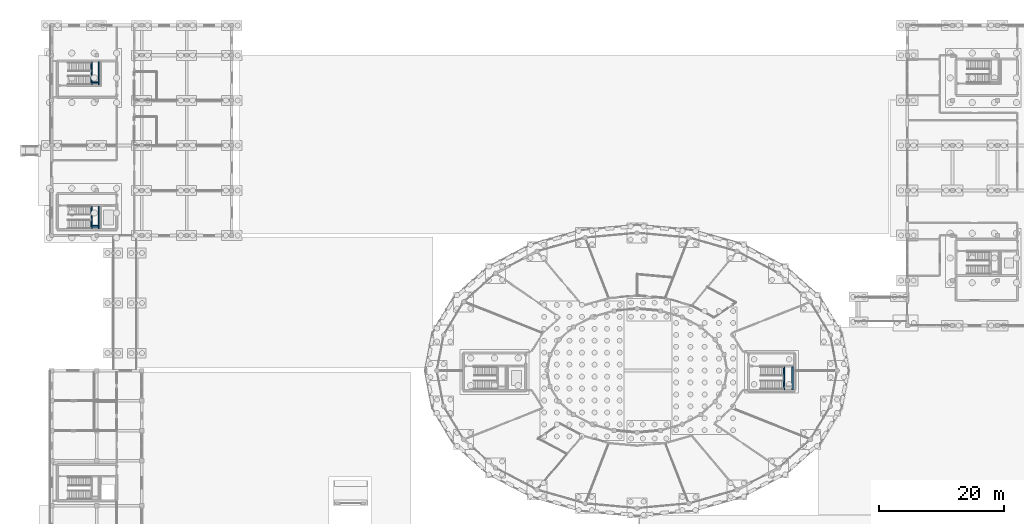
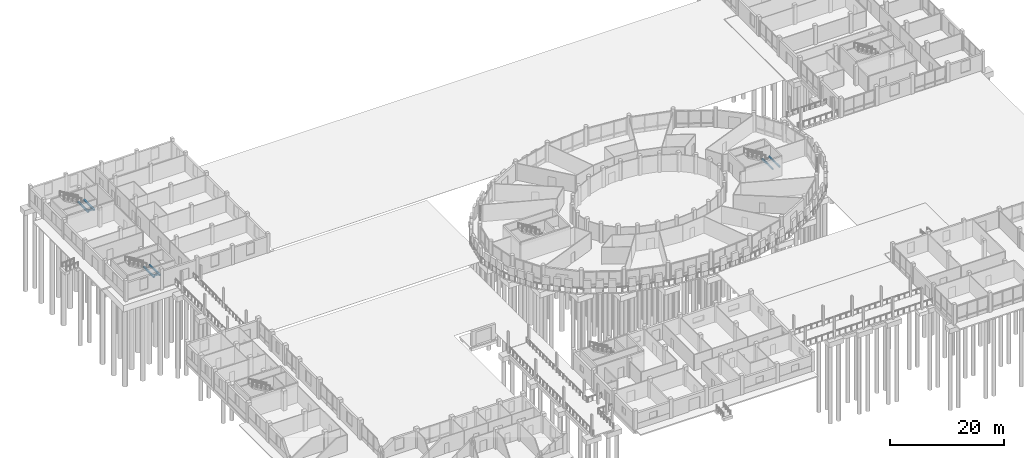
# One storey, part 38 of 98: 8 beams.
"""IFC4 building model written with IfcOpenShell, lengths in metres."""

from ifc_helpers import new_model, si_unit, direction, frame, origin, origin_2d, place, context, subcontext, project, spatial, rectangle, extrude, material, material_profile, profile_set, type_object, element, save


model = new_model("IFC4")

# Units and contexts
model_context = context("Model", 3, precision=1e-05, world=origin(), true_north=direction((0.0, 1.0)))
body_context = subcontext(model_context, "Body", "Model", "MODEL_VIEW")
ifc_project = project(units=[si_unit("LENGTHUNIT", "METRE"), si_unit("AREAUNIT", "SQUARE_METRE"), si_unit("VOLUMEUNIT", "CUBIC_METRE"), si_unit("PLANEANGLEUNIT", "RADIAN"), si_unit("MASSUNIT", "GRAM", prefix="KILO")], contexts=[model_context])

# Site, building, storey
site_placement = place(None, origin())
site = spatial("IfcSite", under=ifc_project, at=site_placement, CompositionType="ELEMENT")
building_placement = place(site_placement, origin())
building = spatial("IfcBuilding", under=site, at=building_placement, Name="Zornivar Specialist Clinic", CompositionType="ELEMENT")
storey_placement = place(building_placement, origin())
storey = spatial("IfcBuildingStorey", under=building, at=storey_placement, Name="L00", CompositionType="ELEMENT", Elevation=0.0)

# Beams
ifc_material = material(Name="Concrete C30/37", Category="concrete")
ifc_material_profile = material_profile(ifc_material, rectangle(XDim=0.260009765625, YDim=0.340087890625, at=origin_2d()), Name="RC 260x340")
ifc_profile_set = profile_set([ifc_material_profile], Name="Concrete C30/37")
beam_type = type_object("IfcBeamType", Name="BM-LAND-260x340", PredefinedType="BEAM", material=ifc_profile_set)
for number, where, z_axis, x_axis, name in (
    (1, (117.06005859375, 54.5400390625, 1.8701171875), (0.0, 1.0, 0.0), (-1.0, 0.0, 0.0), "bm:stair:C4:L00:lW"),
    (2, (118.4599609375, 54.5400390625, 1.8701171875), (0.0, 1.0, 0.0), (-1.0, 0.0, 0.0), "bm:stair:C4:L00:lE"),
    (3, (6.360107421875, 80.239990234375, 1.8701171875), (0.0, 1.0, 0.0), (-1.0, 0.0, 0.0), "bm:stair:C7:L00:lW"),
    (4, (7.56005859375, 80.239990234375, 1.8701171875), (0.0, 1.0, 0.0), (-1.0, 0.0, 0.0), "bm:stair:C7:L00:lE"),
):
    element("IfcBeam", number, at=place(storey_placement, frame(where, z_axis=z_axis, x_axis=x_axis)), inside=storey, type_object=beam_type, Name=name, PredefinedType="BEAM", context=body_context, shape_type="SweptSolid", body=[
        extrude(rectangle(XDim=0.260009765625, YDim=0.340087890625, at=origin_2d()), origin(), (0.0, 0.0, 1.0), 3.659912109375),
    ])
beam_1_placement = place(storey_placement, frame((6.4951171875, 80.679931640625, 1.8701171875), z_axis=(1.0, 0.0, 0.0), x_axis=(0.0, 1.0, 0.0)))
element("IfcBeam", 5, at=beam_1_placement, inside=storey, type_object=beam_type, Name="bm:stair:C7:L00:lS", PredefinedType="BEAM", context=body_context, shape_type="SweptSolid", body=[
    extrude(rectangle(XDim=0.260009765625, YDim=0.340087890625, at=origin_2d()), origin(), (0.0, 0.0, 1.0), 0.929931640625),
])
for number, where, z_axis, x_axis, name in (
    (6, (6.360107421875, 103.300048828125, 1.8701171875), (0.0, 1.0, 0.0), (-1.0, 0.0, 0.0), "bm:stair:C8:L00:lW"),
    (7, (7.56005859375, 103.300048828125, 1.8701171875), (0.0, 1.0, 0.0), (-1.0, 0.0, 0.0), "bm:stair:C8:L00:lE"),
):
    element("IfcBeam", number, at=place(storey_placement, frame(where, z_axis=z_axis, x_axis=x_axis)), inside=storey, type_object=beam_type, Name=name, PredefinedType="BEAM", context=body_context, shape_type="SweptSolid", body=[
        extrude(rectangle(XDim=0.260009765625, YDim=0.340087890625, at=origin_2d()), origin(), (0.0, 0.0, 1.0), 3.659912109375),
    ])
beam_2_placement = place(storey_placement, frame((6.4951171875, 103.679931640625, 1.8701171875), z_axis=(1.0, 0.0, 0.0), x_axis=(0.0, 1.0, 0.0)))
element("IfcBeam", 8, at=beam_2_placement, inside=storey, type_object=beam_type, Name="bm:stair:C8:L00:lS", PredefinedType="BEAM", context=body_context, shape_type="SweptSolid", body=[
    extrude(rectangle(XDim=0.260009765625, YDim=0.340087890625, at=origin_2d()), origin(), (0.0, 0.0, 1.0), 0.929931640625),
])

save(model, "model.ifc")
